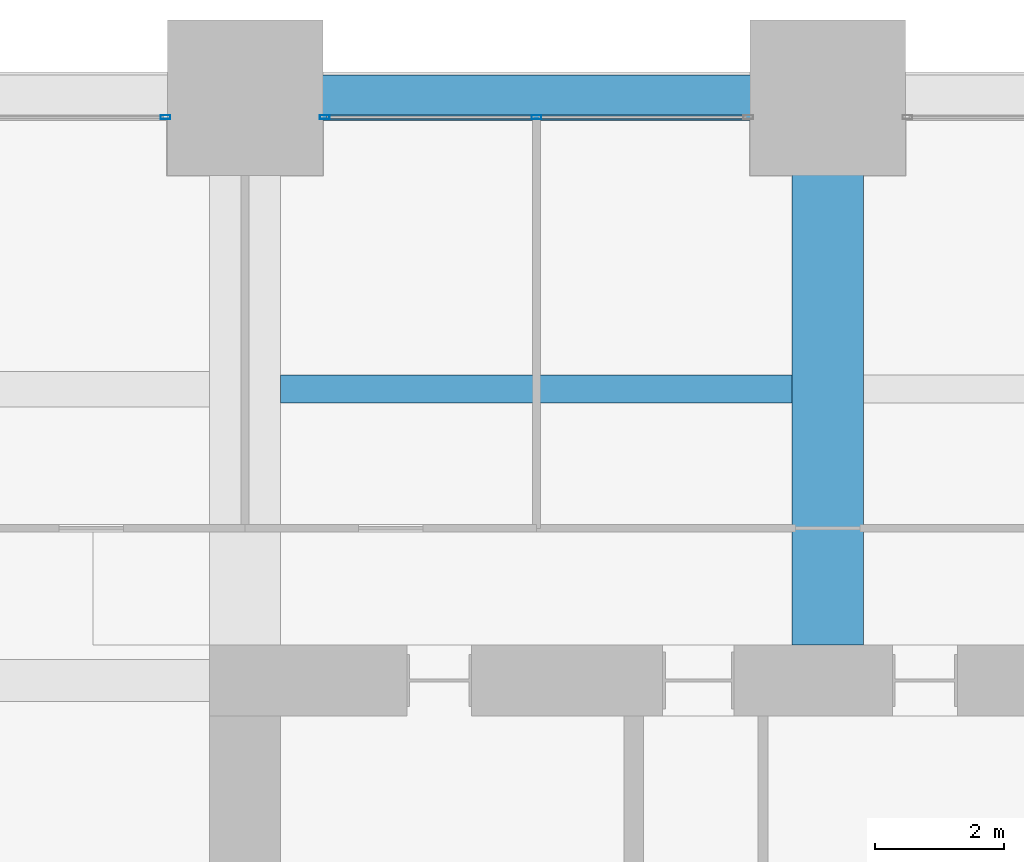
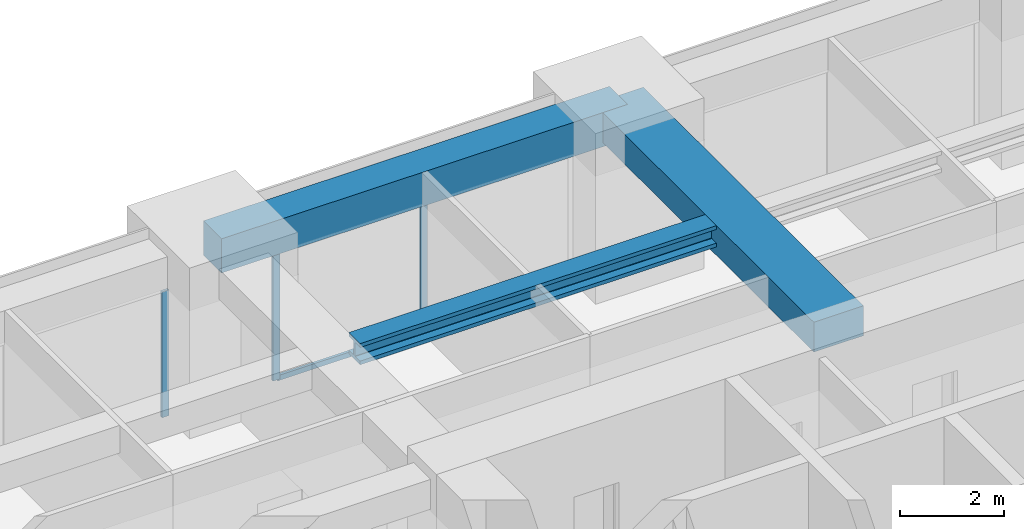
# One storey, part 24 of 32: 4 members, 3 beams, 2 elements without a shape of their own.
"""IFC4 building model written with IfcOpenShell, lengths in metres."""

from ifc_helpers import new_model, si_unit, direction, frame, origin, origin_2d, place, context, subcontext, project, spatial, rectangle, hollow_rectangle, i_section, extrude, material, material_profile, profile_set, type_object, element, aggregate, save


model = new_model("IFC4")

# Units and contexts
model_context = context("Model", 3, precision=1e-05, world=origin(), true_north=direction((0.0, 1.0)))
body_context = subcontext(model_context, "Body", "Model", "MODEL_VIEW")
ifc_project = project(units=[si_unit("LENGTHUNIT", "METRE"), si_unit("AREAUNIT", "SQUARE_METRE"), si_unit("VOLUMEUNIT", "CUBIC_METRE"), si_unit("PLANEANGLEUNIT", "RADIAN"), si_unit("MASSUNIT", "GRAM", prefix="KILO")], contexts=[model_context])

# Site, building, storey
site_placement = place(None, origin())
site = spatial("IfcSite", under=ifc_project, at=site_placement, CompositionType="ELEMENT")
building_placement = place(site_placement, origin())
building = spatial("IfcBuilding", under=site, at=building_placement, Name="Zorevar Civic Tower", CompositionType="ELEMENT")
storey_placement = place(building_placement, frame((0.0, 0.0, 202.199951171875)))
storey = spatial("IfcBuildingStorey", under=building, at=storey_placement, Name="L49", CompositionType="ELEMENT", Elevation=202.199951171875)

# Beam
ifc_material_1 = material(Name="Concrete C50/60", Category="concrete")
ifc_material_profile_1 = material_profile(ifc_material_1, rectangle(XDim=1.10009765625, YDim=0.699951171875, at=origin_2d()), Name="RC 1100x700")
ifc_profile_set_1 = profile_set([ifc_material_profile_1], Name="Concrete C50/60")
beam_type_1 = type_object("IfcBeamType", Name="Beam RC 1100x700", PredefinedType="BEAM", material=ifc_profile_set_1)
beam_1_placement = place(storey_placement, frame((27.0, 36.550048828125, 3.400146484375), z_axis=(0.0, 1.0, 0.0), x_axis=(-1.0, 0.0, 0.0)))
element("IfcBeam", 1, at=beam_1_placement, inside=storey, type_object=beam_type_1, Name="Girder L50", PredefinedType="BEAM", context=body_context, shape_type="SweptSolid", body=[
    extrude(rectangle(XDim=1.10009765625, YDim=0.699951171875, at=origin_2d()), origin(), (0.0, 0.0, 1.0), 8.449951171875),
])

# Curtain wall, member
ifc_material_2 = material(Name="Dark grey solar-control glass in black aluminium frame", Category="aluminium")
curtain_wall_type = type_object("IfcCurtainWallType", Name="Curtain wall CW4 high zone", PredefinedType="NOTDEFINED", material=ifc_material_2)
curtain_wall_1_placement = place(storey_placement, origin())
curtain_wall_1 = element("IfcCurtainWall", 2, at=curtain_wall_1_placement, inside=storey, type_object=curtain_wall_type, Name="CW4 L49", PredefinedType="NOTDEFINED")
ifc_material_3 = material(Name="Aluminium, black anodised", Category="aluminium")
ifc_material_profile_2 = material_profile(ifc_material_3, hollow_rectangle(XDim=0.06005859375, YDim=0.14990234375, WallThickness=0.00390625, at=origin_2d()), Name="AL 150x60x4")
ifc_profile_set_2 = profile_set([ifc_material_profile_2], Name="Aluminium, black anodised")
member_type_1 = type_object("IfcMemberType", Name="CW4 mullion AL 150x60x4", PredefinedType="MULLION", material=ifc_profile_set_2)
member_1_placement = place(storey_placement, frame((16.77001953125, 44.699951171875, 0.0), z_axis=(0.0, 0.0, 1.0), x_axis=(0.0, 1.0, 0.0)))
member_1 = element("IfcMember", 3, at=member_1_placement, type_object=member_type_1, Name="CW4 mullion 3", PredefinedType="MULLION", context=body_context, shape_type="SweptSolid", body=[
    extrude(hollow_rectangle(XDim=0.06005859375, YDim=0.14990234375, WallThickness=0.00390625, at=origin_2d()), origin(), (0.0, 0.0, 1.0), 2.949951171875),
])
aggregate(curtain_wall_1, [member_1])

# Curtain wall, members
curtain_wall_2_placement = place(storey_placement, origin())
curtain_wall_2 = element("IfcCurtainWall", 4, at=curtain_wall_2_placement, inside=storey, type_object=curtain_wall_type, Name="CW4 L49", PredefinedType="NOTDEFINED")
member_2_placement = place(storey_placement, frame((19.22998046875, 44.699951171875, 0.0), z_axis=(0.0, 0.0, 1.0), x_axis=(0.0, 1.0, 0.0)))
member_2 = element("IfcMember", 5, at=member_2_placement, type_object=member_type_1, Name="CW4 mullion 1", PredefinedType="MULLION", context=body_context, shape_type="SweptSolid", body=[
    extrude(hollow_rectangle(XDim=0.06005859375, YDim=0.14990234375, WallThickness=0.00390625, at=origin_2d()), origin(), (0.0, 0.0, 1.0), 2.949951171875),
])
member_3_placement = place(storey_placement, frame((22.5, 44.699951171875, 0.06005859375), z_axis=(0.0, 0.0, 1.0), x_axis=(0.0, 1.0, 0.0)))
member_3 = element("IfcMember", 6, at=member_3_placement, type_object=member_type_1, Name="CW4 mullion 2", PredefinedType="MULLION", context=body_context, shape_type="SweptSolid", body=[
    extrude(hollow_rectangle(XDim=0.06005859375, YDim=0.14990234375, WallThickness=0.00390625, at=origin_2d()), origin(), (0.0, 0.0, 1.0), 2.889892578125),
])
ifc_material_4 = material(Name="Aluminium, black anodised", Category="aluminium")
ifc_material_profile_3 = material_profile(ifc_material_4, hollow_rectangle(XDim=0.06005859375, YDim=0.1201171875, WallThickness=0.0029296875, at=origin_2d()), Name="AL 120x60x3")
ifc_profile_set_3 = profile_set([ifc_material_profile_3], Name="Aluminium, black anodised")
member_type_2 = type_object("IfcMemberType", Name="CW4 transom AL 120x60x3", PredefinedType="USERDEFINED", material=ifc_profile_set_3)
member_4_placement = place(storey_placement, frame((19.260009765625, 44.699951171875, 0.030029296875), z_axis=(1.0, 0.0, 0.0), x_axis=(0.0, 1.0, 0.0)))
member_4 = element("IfcMember", 7, at=member_4_placement, type_object=member_type_2, Name="CW4 sill transom", ObjectType="TRANSOM", PredefinedType="USERDEFINED", context=body_context, shape_type="SweptSolid", body=[
    extrude(hollow_rectangle(XDim=0.06005859375, YDim=0.1201171875, WallThickness=0.0029296875, at=origin_2d()), origin(), (0.0, 0.0, 1.0), 6.47998046875),
])
aggregate(curtain_wall_2, [member_2, member_3, member_4])

# Beams
ifc_material_5 = material(Name="Steel S460M (HISTAR 460)", Category="steel")
ifc_material_profile_4 = material_profile(ifc_material_5, i_section(OverallWidth=0.431884765625, OverallDepth=0.498046875, WebThickness=0.0556640625, FlangeThickness=0.0888671875, FilletRadius=0.014892578125, at=origin_2d()), Name="HD 400x744")
ifc_profile_set_4 = profile_set([ifc_material_profile_4], Name="Steel S460M (HISTAR 460)")
beam_type_2 = type_object("IfcBeamType", Name="Core bay beam HD 400x744", PredefinedType="BEAM", material=ifc_profile_set_4)
beam_2_placement = place(storey_placement, frame((18.550048828125, 40.5, 3.5009765625), z_axis=(1.0, 0.0, 0.0), x_axis=(0.0, 1.0, 0.0)))
element("IfcBeam", 8, at=beam_2_placement, inside=storey, type_object=beam_type_2, Name="Secondary beam L50", PredefinedType="BEAM", context=body_context, shape_type="SweptSolid", body=[
    extrude(i_section(OverallWidth=0.431884765625, OverallDepth=0.498046875, WebThickness=0.0556640625, FlangeThickness=0.0888671875, FilletRadius=0.014892578125, at=origin_2d()), origin(), (0.0, 0.0, 1.0), 7.89990234375),
])
ifc_material_6 = material(Name="Concrete C50/60", Category="concrete")
ifc_material_profile_5 = material_profile(ifc_material_6, rectangle(XDim=0.699951171875, YDim=0.800048828125, at=origin_2d()), Name="RC 700x800")
ifc_profile_set_5 = profile_set([ifc_material_profile_5], Name="Concrete C50/60")
beam_type_3 = type_object("IfcBeamType", Name="Edge beam RC 700x800", PredefinedType="SPANDREL", material=ifc_profile_set_5)
beam_3_placement = place(storey_placement, frame((18.0, 45.0, 3.35009765625), z_axis=(1.0, 0.0, 0.0), x_axis=(0.0, 1.0, 0.0)))
element("IfcBeam", 9, at=beam_3_placement, inside=storey, type_object=beam_type_3, Name="Edge beam L50", PredefinedType="SPANDREL", context=body_context, shape_type="SweptSolid", body=[
    extrude(rectangle(XDim=0.699951171875, YDim=0.800048828125, at=origin_2d()), origin(), (0.0, 0.0, 1.0), 9.0),
])

save(model, "model.ifc")
